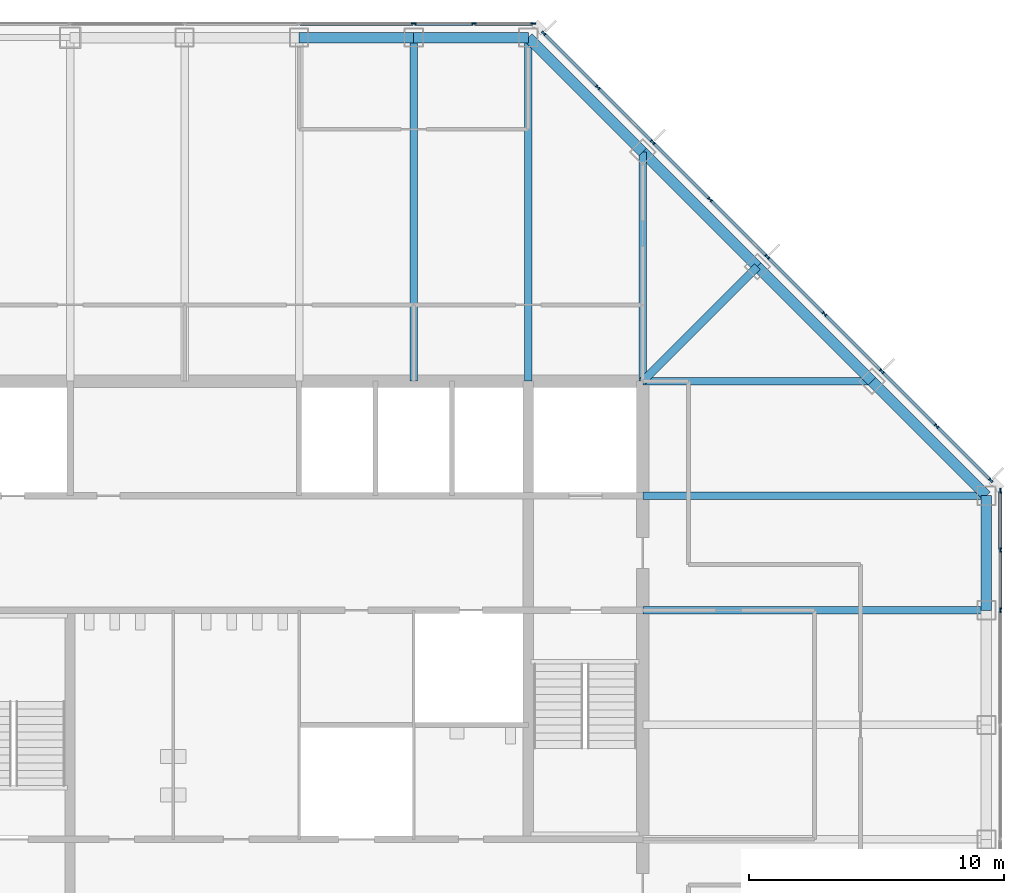
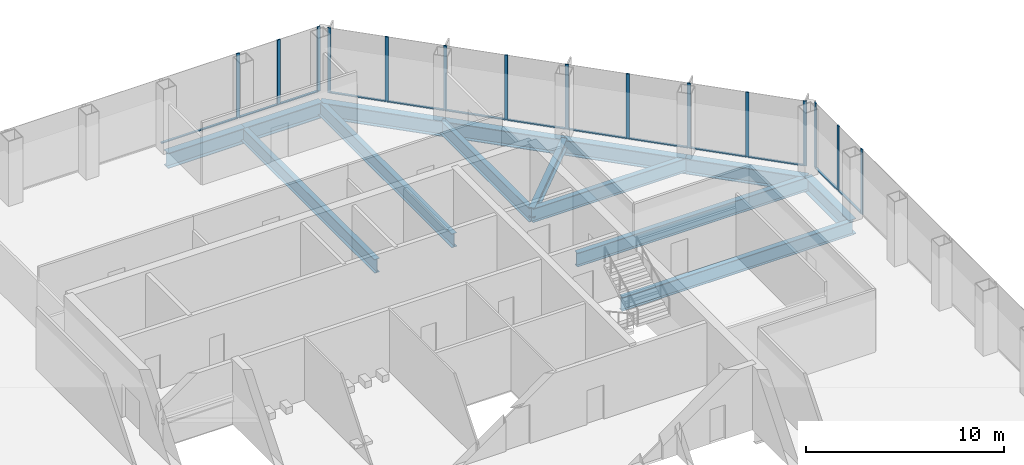
# One storey, part 6 of 12: 28 members, 14 beams, 3 elements without a shape of their own.
"""IFC4 building model written with IfcOpenShell, lengths in metres."""

from ifc_helpers import new_model, si_unit, direction, frame, origin, origin_2d, place, context, subcontext, project, spatial, rectangle, i_section, extrude, material, material_profile, profile_set, type_object, element, aggregate, save


model = new_model("IFC4")

# Units and contexts
model_context = context("Model", 3, precision=1e-05, world=origin(), true_north=direction((0.0, 1.0)))
body_context = subcontext(model_context, "Body", "Model", "MODEL_VIEW")
ifc_project = project(units=[si_unit("LENGTHUNIT", "METRE"), si_unit("AREAUNIT", "SQUARE_METRE"), si_unit("VOLUMEUNIT", "CUBIC_METRE"), si_unit("PLANEANGLEUNIT", "RADIAN"), si_unit("MASSUNIT", "GRAM", prefix="KILO")], contexts=[model_context])

# Site, building, storey
site_placement = place(None, origin())
site = spatial("IfcSite", under=ifc_project, at=site_placement, CompositionType="ELEMENT")
building_placement = place(site_placement, origin())
building = spatial("IfcBuilding", under=site, at=building_placement, Name="Corais Broadcast Tower", CompositionType="ELEMENT")
storey_placement = place(building_placement, frame((0.0, 0.0, 187.60009765625)))
storey = spatial("IfcBuildingStorey", under=building, at=storey_placement, Name="L43", CompositionType="ELEMENT", Elevation=187.60009765625)

# Beams
ifc_material_1 = material(Name="Steel ASTM A572 Grade 50", Category="steel")
ifc_material_profile_1 = material_profile(ifc_material_1, i_section(OverallWidth=0.323974609375, OverallDepth=0.611083984375, WebThickness=0.0126953125, FlangeThickness=0.01904296875, at=origin_2d()), Name="W610x155")
ifc_profile_set_1 = profile_set([ifc_material_profile_1], Name="Steel ASTM A572 Grade 50")
beam_type_1 = type_object("IfcBeamType", Name="Corner diagonal W610x155", PredefinedType="BEAM", material=ifc_profile_set_1)
beam_1_placement = place(storey_placement, frame((45.0, 45.0, -0.465576171875), z_axis=(-0.707106781187, -0.707106781187, 0.0), x_axis=(0.707106781187, -0.707106781187, 0.0)))
element("IfcBeam", 1, at=beam_1_placement, inside=storey, type_object=beam_type_1, Name="B6 L/13 to K/12", PredefinedType="BEAM", context=body_context, shape_type="SweptSolid", body=[
    extrude(i_section(OverallWidth=0.323974609375, OverallDepth=0.611083984375, WebThickness=0.0126953125, FlangeThickness=0.01904296875, at=origin_2d()), origin(), (0.0, 0.0, 1.0), 6.364013671875),
])
ifc_material_2 = material(Name="Steel ASTM A572 Grade 50", Category="steel")
ifc_material_profile_2 = material_profile(ifc_material_2, i_section(OverallWidth=0.2939453125, OverallDepth=0.85107421875, WebThickness=0.01611328125, FlangeThickness=0.02685546875, at=origin_2d()), Name="W840x226")
ifc_profile_set_2 = profile_set([ifc_material_profile_2], Name="Steel ASTM A572 Grade 50")
beam_type_2 = type_object("IfcBeamType", Name="Floor beam W840x226", PredefinedType="BEAM", material=ifc_profile_set_2)
for number, where, z_axis, x_axis, name in (
    (2, (31.5, 54.0, -0.585693359375), (0.0, -1.0, 0.0), (1.0, 0.0, 0.0), "B1 N/10 to K/10"),
    (3, (36.0, 54.0, -0.585693359375), (0.0, -1.0, 0.0), (1.0, 0.0, 0.0), "B1 N/11 to K/11"),
):
    element("IfcBeam", number, at=place(storey_placement, frame(where, z_axis=z_axis, x_axis=x_axis)), inside=storey, type_object=beam_type_2, Name=name, PredefinedType="BEAM", context=body_context, shape_type="SweptSolid", body=[
        extrude(i_section(OverallWidth=0.2939453125, OverallDepth=0.85107421875, WebThickness=0.01611328125, FlangeThickness=0.02685546875, at=origin_2d()), origin(), (0.0, 0.0, 1.0), 13.5),
    ])
for number, where, z_axis, x_axis, name in (
    (4, (40.5, 49.5, -0.585693359375), (0.0, -1.0, 0.0), (1.0, 0.0, 0.0), "B1 M/12 to K/12"),
    (5, (49.5, 40.5, -0.585693359375), (-1.0, 0.0, 0.0), (0.0, -1.0, 0.0), "B1 K/14 to K/12"),
):
    element("IfcBeam", number, at=place(storey_placement, frame(where, z_axis=z_axis, x_axis=x_axis)), inside=storey, type_object=beam_type_2, Name=name, PredefinedType="BEAM", context=body_context, shape_type="SweptSolid", body=[
        extrude(i_section(OverallWidth=0.2939453125, OverallDepth=0.85107421875, WebThickness=0.01611328125, FlangeThickness=0.02685546875, at=origin_2d()), origin(), (0.0, 0.0, 1.0), 9.0),
    ])
for number, where, z_axis, x_axis, name in (
    (6, (54.0, 31.5, -0.585693359375), (-1.0, 0.0, 0.0), (0.0, -1.0, 0.0), "B1 H/15 to H/12"),
    (7, (54.0, 36.0, -0.585693359375), (-1.0, 0.0, 0.0), (0.0, -1.0, 0.0), "B1 J/15 to J/12"),
):
    element("IfcBeam", number, at=place(storey_placement, frame(where, z_axis=z_axis, x_axis=x_axis)), inside=storey, type_object=beam_type_2, Name=name, PredefinedType="BEAM", context=body_context, shape_type="SweptSolid", body=[
        extrude(i_section(OverallWidth=0.2939453125, OverallDepth=0.85107421875, WebThickness=0.01611328125, FlangeThickness=0.02685546875, at=origin_2d()), origin(), (0.0, 0.0, 1.0), 13.5),
    ])

# Curtain wall, members
ifc_material_3 = material(Name="Aluminium and glass", Category="aluminium")
curtain_wall_type = type_object("IfcCurtainWallType", Name="Unitised fritted curtain wall CW2", PredefinedType="NOTDEFINED", material=ifc_material_3)
curtain_wall_1_placement = place(storey_placement, origin())
curtain_wall_1 = element("IfcCurtainWall", 8, at=curtain_wall_1_placement, inside=storey, type_object=curtain_wall_type, Name="CW2 curtain wall L43 4", PredefinedType="NOTDEFINED")
ifc_material_4 = material(Name="Aluminium 6063-T6", Category="aluminium")
ifc_material_profile_3 = material_profile(ifc_material_4, rectangle(XDim=0.06494140625, YDim=0.179931640625, at=origin_2d()), Name="Mullion CW2 65x180")
ifc_profile_set_3 = profile_set([ifc_material_profile_3], Name="Aluminium 6063-T6")
member_type_1 = type_object("IfcMemberType", Name="Mullion CW2 65x180", PredefinedType="MULLION", material=ifc_profile_set_3)
member_1_placement = place(storey_placement, frame((31.5, 54.550048828125, 0.0), z_axis=(0.0, 0.0, 1.0), x_axis=(0.0, 1.0, 0.0)))
member_1 = element("IfcMember", 9, at=member_1_placement, type_object=member_type_1, Name="CW2 mullion 7", PredefinedType="MULLION", context=body_context, shape_type="SweptSolid", body=[
    extrude(rectangle(XDim=0.06494140625, YDim=0.179931640625, at=origin_2d()), origin(), (0.0, 0.0, 1.0), 4.0),
])
member_2_placement = place(storey_placement, frame((33.864013671875, 54.550048828125, 0.0), z_axis=(0.0, 0.0, 1.0), x_axis=(0.0, 1.0, 0.0)))
member_2 = element("IfcMember", 10, at=member_2_placement, type_object=member_type_1, Name="CW2 mullion 8", PredefinedType="MULLION", context=body_context, shape_type="SweptSolid", body=[
    extrude(rectangle(XDim=0.06494140625, YDim=0.179931640625, at=origin_2d()), origin(), (0.0, 0.0, 1.0), 4.0),
])
member_3_placement = place(storey_placement, frame((36.1953125, 54.550048828125, 0.0), z_axis=(0.0, 0.0, 1.0), x_axis=(0.0, 1.0, 0.0)))
member_3 = element("IfcMember", 11, at=member_3_placement, type_object=member_type_1, Name="CW2 mullion 9", PredefinedType="MULLION", context=body_context, shape_type="SweptSolid", body=[
    extrude(rectangle(XDim=0.06494140625, YDim=0.179931640625, at=origin_2d()), origin(), (0.0, 0.0, 1.0), 4.0),
])

curtain_wall_2_placement = place(storey_placement, origin())
curtain_wall_2 = element("IfcCurtainWall", 12, at=curtain_wall_2_placement, inside=storey, type_object=curtain_wall_type, Name="CW2 curtain wall L43 5", PredefinedType="NOTDEFINED")
member_4_placement = place(storey_placement, frame((36.6044921875, 54.17333984375, 0.0), z_axis=(0.0, 0.0, 1.0), x_axis=(0.707106781187, 0.707106781187, 0.0)))
member_4 = element("IfcMember", 13, at=member_4_placement, type_object=member_type_1, Name="CW2 mullion 1", PredefinedType="MULLION", context=body_context, shape_type="SweptSolid", body=[
    extrude(rectangle(XDim=0.06494140625, YDim=0.179931640625, at=origin_2d()), origin(), (0.0, 0.0, 1.0), 4.0),
])
member_5_placement = place(storey_placement, frame((38.735107421875, 52.042724609375, 0.0), z_axis=(0.0, 0.0, 1.0), x_axis=(0.707106781187, 0.707106781187, 0.0)))
member_5 = element("IfcMember", 14, at=member_5_placement, type_object=member_type_1, Name="CW2 mullion 2", PredefinedType="MULLION", context=body_context, shape_type="SweptSolid", body=[
    extrude(rectangle(XDim=0.06494140625, YDim=0.179931640625, at=origin_2d()), origin(), (0.0, 0.0, 1.0), 4.0),
])
member_6_placement = place(storey_placement, frame((40.888916015625, 49.888916015625, 0.0), z_axis=(0.0, 0.0, 1.0), x_axis=(0.707106781187, 0.707106781187, 0.0)))
member_6 = element("IfcMember", 15, at=member_6_placement, type_object=member_type_1, Name="CW2 mullion 3", PredefinedType="MULLION", context=body_context, shape_type="SweptSolid", body=[
    extrude(rectangle(XDim=0.06494140625, YDim=0.179931640625, at=origin_2d()), origin(), (0.0, 0.0, 1.0), 4.0),
])
member_7_placement = place(storey_placement, frame((43.138916015625, 47.638916015625, 0.0), z_axis=(0.0, 0.0, 1.0), x_axis=(0.707106781187, 0.707106781187, 0.0)))
member_7 = element("IfcMember", 16, at=member_7_placement, type_object=member_type_1, Name="CW2 mullion 4", PredefinedType="MULLION", context=body_context, shape_type="SweptSolid", body=[
    extrude(rectangle(XDim=0.06494140625, YDim=0.179931640625, at=origin_2d()), origin(), (0.0, 0.0, 1.0), 4.0),
])
member_8_placement = place(storey_placement, frame((45.388916015625, 45.388916015625, 0.0), z_axis=(0.0, 0.0, 1.0), x_axis=(0.707106781187, 0.707106781187, 0.0)))
member_8 = element("IfcMember", 17, at=member_8_placement, type_object=member_type_1, Name="CW2 mullion 5", PredefinedType="MULLION", context=body_context, shape_type="SweptSolid", body=[
    extrude(rectangle(XDim=0.06494140625, YDim=0.179931640625, at=origin_2d()), origin(), (0.0, 0.0, 1.0), 4.0),
])
member_9_placement = place(storey_placement, frame((47.638916015625, 43.138916015625, 0.0), z_axis=(0.0, 0.0, 1.0), x_axis=(0.707106781187, 0.707106781187, 0.0)))
member_9 = element("IfcMember", 18, at=member_9_placement, type_object=member_type_1, Name="CW2 mullion 6", PredefinedType="MULLION", context=body_context, shape_type="SweptSolid", body=[
    extrude(rectangle(XDim=0.06494140625, YDim=0.179931640625, at=origin_2d()), origin(), (0.0, 0.0, 1.0), 4.0),
])
member_10_placement = place(storey_placement, frame((49.888916015625, 40.888916015625, 0.0), z_axis=(0.0, 0.0, 1.0), x_axis=(0.707106781187, 0.707106781187, 0.0)))
member_10 = element("IfcMember", 19, at=member_10_placement, type_object=member_type_1, Name="CW2 mullion 7", PredefinedType="MULLION", context=body_context, shape_type="SweptSolid", body=[
    extrude(rectangle(XDim=0.06494140625, YDim=0.179931640625, at=origin_2d()), origin(), (0.0, 0.0, 1.0), 4.0),
])
member_11_placement = place(storey_placement, frame((52.042724609375, 38.735107421875, 0.0), z_axis=(0.0, 0.0, 1.0), x_axis=(0.707106781187, 0.707106781187, 0.0)))
member_11 = element("IfcMember", 20, at=member_11_placement, type_object=member_type_1, Name="CW2 mullion 8", PredefinedType="MULLION", context=body_context, shape_type="SweptSolid", body=[
    extrude(rectangle(XDim=0.06494140625, YDim=0.179931640625, at=origin_2d()), origin(), (0.0, 0.0, 1.0), 4.0),
])
member_12_placement = place(storey_placement, frame((54.17333984375, 36.6044921875, 0.0), z_axis=(0.0, 0.0, 1.0), x_axis=(0.707106781187, 0.707106781187, 0.0)))
member_12 = element("IfcMember", 21, at=member_12_placement, type_object=member_type_1, Name="CW2 mullion 9", PredefinedType="MULLION", context=body_context, shape_type="SweptSolid", body=[
    extrude(rectangle(XDim=0.06494140625, YDim=0.179931640625, at=origin_2d()), origin(), (0.0, 0.0, 1.0), 4.0),
])

curtain_wall_3_placement = place(storey_placement, origin())
curtain_wall_3 = element("IfcCurtainWall", 22, at=curtain_wall_3_placement, inside=storey, type_object=curtain_wall_type, Name="CW2 curtain wall L43 6", PredefinedType="NOTDEFINED")
member_13_placement = place(storey_placement, frame((54.550048828125, 36.1953125, 0.0), z_axis=(0.0, 0.0, 1.0), x_axis=(1.0, 0.0, 0.0)))
member_13 = element("IfcMember", 23, at=member_13_placement, type_object=member_type_1, Name="CW2 mullion 1", PredefinedType="MULLION", context=body_context, shape_type="SweptSolid", body=[
    extrude(rectangle(XDim=0.06494140625, YDim=0.179931640625, at=origin_2d()), origin(), (0.0, 0.0, 1.0), 4.0),
])
member_14_placement = place(storey_placement, frame((54.550048828125, 33.864013671875, 0.0), z_axis=(0.0, 0.0, 1.0), x_axis=(1.0, 0.0, 0.0)))
member_14 = element("IfcMember", 24, at=member_14_placement, type_object=member_type_1, Name="CW2 mullion 2", PredefinedType="MULLION", context=body_context, shape_type="SweptSolid", body=[
    extrude(rectangle(XDim=0.06494140625, YDim=0.179931640625, at=origin_2d()), origin(), (0.0, 0.0, 1.0), 4.0),
])
member_15_placement = place(storey_placement, frame((54.550048828125, 31.5, 0.0), z_axis=(0.0, 0.0, 1.0), x_axis=(1.0, 0.0, 0.0)))
member_15 = element("IfcMember", 25, at=member_15_placement, type_object=member_type_1, Name="CW2 mullion 3", PredefinedType="MULLION", context=body_context, shape_type="SweptSolid", body=[
    extrude(rectangle(XDim=0.06494140625, YDim=0.179931640625, at=origin_2d()), origin(), (0.0, 0.0, 1.0), 4.0),
])

# Beams
ifc_material_5 = material(Name="Steel ASTM A572 Grade 50", Category="steel")
ifc_material_profile_4 = material_profile(ifc_material_5, i_section(OverallWidth=0.4189453125, OverallDepth=0.94189453125, WebThickness=0.022216796875, FlangeThickness=0.03662109375, at=origin_2d()), Name="W920x345")
ifc_profile_set_4 = profile_set([ifc_material_profile_4], Name="Steel ASTM A572 Grade 50")
beam_type_3 = type_object("IfcBeamType", Name="Transfer spandrel W920x345", PredefinedType="BEAM", material=ifc_profile_set_4)
for number, where, z_axis, x_axis, name in (
    (26, (31.5, 54.0, -0.631103515625), (-1.0, 0.0, 0.0), (0.0, -1.0, 0.0), "SB4 N/10 to N/9"),
    (27, (36.0, 54.0, -0.631103515625), (-1.0, 0.0, 0.0), (0.0, -1.0, 0.0), "SB4 N/11 to N/10"),
):
    element("IfcBeam", number, at=place(storey_placement, frame(where, z_axis=z_axis, x_axis=x_axis)), inside=storey, type_object=beam_type_3, Name=name, PredefinedType="BEAM", context=body_context, shape_type="SweptSolid", body=[
        extrude(i_section(OverallWidth=0.4189453125, OverallDepth=0.94189453125, WebThickness=0.022216796875, FlangeThickness=0.03662109375, at=origin_2d()), origin(), (0.0, 0.0, 1.0), 4.5),
    ])
for number, where, z_axis, x_axis, name in (
    (28, (40.5, 49.5, -0.631103515625), (-0.707106781187, 0.707106781187, 0.0), (-0.707106781187, -0.707106781187, 0.0), "SB4 M/12 to N/11"),
    (29, (45.0, 45.0, -0.631103515625), (-0.707106781187, 0.707106781187, 0.0), (-0.707106781187, -0.707106781187, 0.0), "SB4 L/13 to M/12"),
    (30, (49.5, 40.5, -0.631103515625), (-0.707106781187, 0.707106781187, 0.0), (-0.707106781187, -0.707106781187, 0.0), "SB4 K/14 to L/13"),
):
    element("IfcBeam", number, at=place(storey_placement, frame(where, z_axis=z_axis, x_axis=x_axis)), inside=storey, type_object=beam_type_3, Name=name, PredefinedType="BEAM", context=body_context, shape_type="SweptSolid", body=[
        extrude(i_section(OverallWidth=0.4189453125, OverallDepth=0.94189453125, WebThickness=0.022216796875, FlangeThickness=0.03662109375, at=origin_2d()), origin(), (0.0, 0.0, 1.0), 6.364013671875),
    ])
beam_2_placement = place(storey_placement, frame((54.0, 31.5, -0.631103515625), z_axis=(0.0, 1.0, 0.0), x_axis=(-1.0, 0.0, 0.0)))
element("IfcBeam", 31, at=beam_2_placement, inside=storey, type_object=beam_type_3, Name="SB4 H/15 to J/15", PredefinedType="BEAM", context=body_context, shape_type="SweptSolid", body=[
    extrude(i_section(OverallWidth=0.4189453125, OverallDepth=0.94189453125, WebThickness=0.022216796875, FlangeThickness=0.03662109375, at=origin_2d()), origin(), (0.0, 0.0, 1.0), 4.5),
])
beam_3_placement = place(storey_placement, frame((54.0, 36.0, -0.631103515625), z_axis=(-0.707106781187, 0.707106781187, 0.0), x_axis=(-0.707106781187, -0.707106781187, 0.0)))
element("IfcBeam", 32, at=beam_3_placement, inside=storey, type_object=beam_type_3, Name="SB4 J/15 to K/14", PredefinedType="BEAM", context=body_context, shape_type="SweptSolid", body=[
    extrude(i_section(OverallWidth=0.4189453125, OverallDepth=0.94189453125, WebThickness=0.022216796875, FlangeThickness=0.03662109375, at=origin_2d()), origin(), (0.0, 0.0, 1.0), 6.364013671875),
])

# Member
ifc_material_6 = material(Name="Aluminium 6063-T6", Category="aluminium")
ifc_material_profile_5 = material_profile(ifc_material_6, rectangle(XDim=0.1298828125, YDim=0.06494140625, at=origin_2d()), Name="Transom CW2 65x130")
ifc_profile_set_5 = profile_set([ifc_material_profile_5], Name="Aluminium 6063-T6")
member_type_2 = type_object("IfcMemberType", Name="Transom CW2 65x130", PredefinedType="USERDEFINED", material=ifc_profile_set_5)
member_16_placement = place(storey_placement, frame((27.032470703125, 54.550048828125, 0.032470703125), z_axis=(1.0, 0.0, 0.0), x_axis=(0.0, 1.0, 0.0)))
member_16 = element("IfcMember", 33, at=member_16_placement, type_object=member_type_2, Name="CW2 transom 6.1", ObjectType="TRANSOM", PredefinedType="USERDEFINED", context=body_context, shape_type="SweptSolid", body=[
    extrude(rectangle(XDim=0.1298828125, YDim=0.06494140625, at=origin_2d()), origin(), (0.0, 0.0, 1.0), 4.43505859375),
])

member_17_placement = place(storey_placement, frame((31.532470703125, 54.550048828125, 0.032470703125), z_axis=(1.0, 0.0, 0.0), x_axis=(0.0, 1.0, 0.0)))
member_17 = element("IfcMember", 34, at=member_17_placement, type_object=member_type_2, Name="CW2 transom 7.1", ObjectType="TRANSOM", PredefinedType="USERDEFINED", context=body_context, shape_type="SweptSolid", body=[
    extrude(rectangle(XDim=0.1298828125, YDim=0.06494140625, at=origin_2d()), origin(), (0.0, 0.0, 1.0), 2.298828125),
])

member_18_placement = place(storey_placement, frame((33.896484375, 54.550048828125, 0.032470703125), z_axis=(1.0, 0.0, 0.0), x_axis=(0.0, 1.0, 0.0)))
member_18 = element("IfcMember", 35, at=member_18_placement, type_object=member_type_2, Name="CW2 transom 8.1", ObjectType="TRANSOM", PredefinedType="USERDEFINED", context=body_context, shape_type="SweptSolid", body=[
    extrude(rectangle(XDim=0.1298828125, YDim=0.06494140625, at=origin_2d()), origin(), (0.0, 0.0, 1.0), 2.266357421875),
])

aggregate(curtain_wall_1, [member_1, member_2, member_3, member_16, member_17, member_18])

member_19_placement = place(storey_placement, frame((36.62744140625, 54.150390625, 0.032470703125), z_axis=(0.707106781187, -0.707106781187, 0.0), x_axis=(0.707106781187, 0.707106781187, 0.0)))
member_19 = element("IfcMember", 36, at=member_19_placement, type_object=member_type_2, Name="CW2 transom 1.1", ObjectType="TRANSOM", PredefinedType="USERDEFINED", context=body_context, shape_type="SweptSolid", body=[
    extrude(rectangle(XDim=0.1298828125, YDim=0.06494140625, at=origin_2d()), origin(), (0.0, 0.0, 1.0), 2.9482421875),
])

member_20_placement = place(storey_placement, frame((38.758056640625, 52.019775390625, 0.032470703125), z_axis=(0.707106781187, -0.707106781187, 0.0), x_axis=(0.707106781187, 0.707106781187, 0.0)))
member_20 = element("IfcMember", 37, at=member_20_placement, type_object=member_type_2, Name="CW2 transom 2.1", ObjectType="TRANSOM", PredefinedType="USERDEFINED", context=body_context, shape_type="SweptSolid", body=[
    extrude(rectangle(XDim=0.1298828125, YDim=0.06494140625, at=origin_2d()), origin(), (0.0, 0.0, 1.0), 2.98095703125),
])

member_21_placement = place(storey_placement, frame((40.911865234375, 49.865966796875, 0.032470703125), z_axis=(0.707106781187, -0.707106781187, 0.0), x_axis=(0.707106781187, 0.707106781187, 0.0)))
member_21 = element("IfcMember", 38, at=member_21_placement, type_object=member_type_2, Name="CW2 transom 3.1", ObjectType="TRANSOM", PredefinedType="USERDEFINED", context=body_context, shape_type="SweptSolid", body=[
    extrude(rectangle(XDim=0.1298828125, YDim=0.06494140625, at=origin_2d()), origin(), (0.0, 0.0, 1.0), 3.1171875),
])

member_22_placement = place(storey_placement, frame((43.161865234375, 47.615966796875, 0.032470703125), z_axis=(0.707106781187, -0.707106781187, 0.0), x_axis=(0.707106781187, 0.707106781187, 0.0)))
member_22 = element("IfcMember", 39, at=member_22_placement, type_object=member_type_2, Name="CW2 transom 4.1", ObjectType="TRANSOM", PredefinedType="USERDEFINED", context=body_context, shape_type="SweptSolid", body=[
    extrude(rectangle(XDim=0.1298828125, YDim=0.06494140625, at=origin_2d()), origin(), (0.0, 0.0, 1.0), 3.1171875),
])

member_23_placement = place(storey_placement, frame((45.411865234375, 45.365966796875, 0.032470703125), z_axis=(0.707106781187, -0.707106781187, 0.0), x_axis=(0.707106781187, 0.707106781187, 0.0)))
member_23 = element("IfcMember", 40, at=member_23_placement, type_object=member_type_2, Name="CW2 transom 5.1", ObjectType="TRANSOM", PredefinedType="USERDEFINED", context=body_context, shape_type="SweptSolid", body=[
    extrude(rectangle(XDim=0.1298828125, YDim=0.06494140625, at=origin_2d()), origin(), (0.0, 0.0, 1.0), 3.1171875),
])

member_24_placement = place(storey_placement, frame((47.661865234375, 43.115966796875, 0.032470703125), z_axis=(0.707106781187, -0.707106781187, 0.0), x_axis=(0.707106781187, 0.707106781187, 0.0)))
member_24 = element("IfcMember", 41, at=member_24_placement, type_object=member_type_2, Name="CW2 transom 6.1", ObjectType="TRANSOM", PredefinedType="USERDEFINED", context=body_context, shape_type="SweptSolid", body=[
    extrude(rectangle(XDim=0.1298828125, YDim=0.06494140625, at=origin_2d()), origin(), (0.0, 0.0, 1.0), 3.1171875),
])

member_25_placement = place(storey_placement, frame((49.911865234375, 40.865966796875, 0.032470703125), z_axis=(0.707065828661, -0.70714773134, 0.0), x_axis=(0.70714773134, 0.707065828661, 0.0)))
member_25 = element("IfcMember", 42, at=member_25_placement, type_object=member_type_2, Name="CW2 transom 7.1", ObjectType="TRANSOM", PredefinedType="USERDEFINED", context=body_context, shape_type="SweptSolid", body=[
    extrude(rectangle(XDim=0.1298828125, YDim=0.06494140625, at=origin_2d()), origin(), (0.0, 0.0, 1.0), 2.98095703125),
])

member_26_placement = place(storey_placement, frame((52.065673828125, 38.712158203125, 0.032470703125), z_axis=(0.707106781187, -0.707106781187, 0.0), x_axis=(0.707106781187, 0.707106781187, 0.0)))
member_26 = element("IfcMember", 43, at=member_26_placement, type_object=member_type_2, Name="CW2 transom 8.1", ObjectType="TRANSOM", PredefinedType="USERDEFINED", context=body_context, shape_type="SweptSolid", body=[
    extrude(rectangle(XDim=0.1298828125, YDim=0.06494140625, at=origin_2d()), origin(), (0.0, 0.0, 1.0), 2.9482421875),
])

aggregate(curtain_wall_2, [member_4, member_5, member_6, member_7, member_8, member_9, member_10, member_11, member_12, member_19, member_20, member_21, member_22, member_23, member_24, member_25, member_26])

member_27_placement = place(storey_placement, frame((54.550048828125, 36.162841796875, 0.032470703125), z_axis=(0.0, -1.0, 0.0), x_axis=(1.0, 0.0, 0.0)))
member_27 = element("IfcMember", 44, at=member_27_placement, type_object=member_type_2, Name="CW2 transom 1.1", ObjectType="TRANSOM", PredefinedType="USERDEFINED", context=body_context, shape_type="SweptSolid", body=[
    extrude(rectangle(XDim=0.1298828125, YDim=0.06494140625, at=origin_2d()), origin(), (0.0, 0.0, 1.0), 2.266357421875),
])

member_28_placement = place(storey_placement, frame((54.550048828125, 33.831298828125, 0.032470703125), z_axis=(0.0, -1.0, 0.0), x_axis=(1.0, 0.0, 0.0)))
member_28 = element("IfcMember", 45, at=member_28_placement, type_object=member_type_2, Name="CW2 transom 2.1", ObjectType="TRANSOM", PredefinedType="USERDEFINED", context=body_context, shape_type="SweptSolid", body=[
    extrude(rectangle(XDim=0.1298828125, YDim=0.06494140625, at=origin_2d()), origin(), (0.0, 0.0, 1.0), 2.298828125),
])

aggregate(curtain_wall_3, [member_13, member_14, member_15, member_27, member_28])

save(model, "model.ifc")
